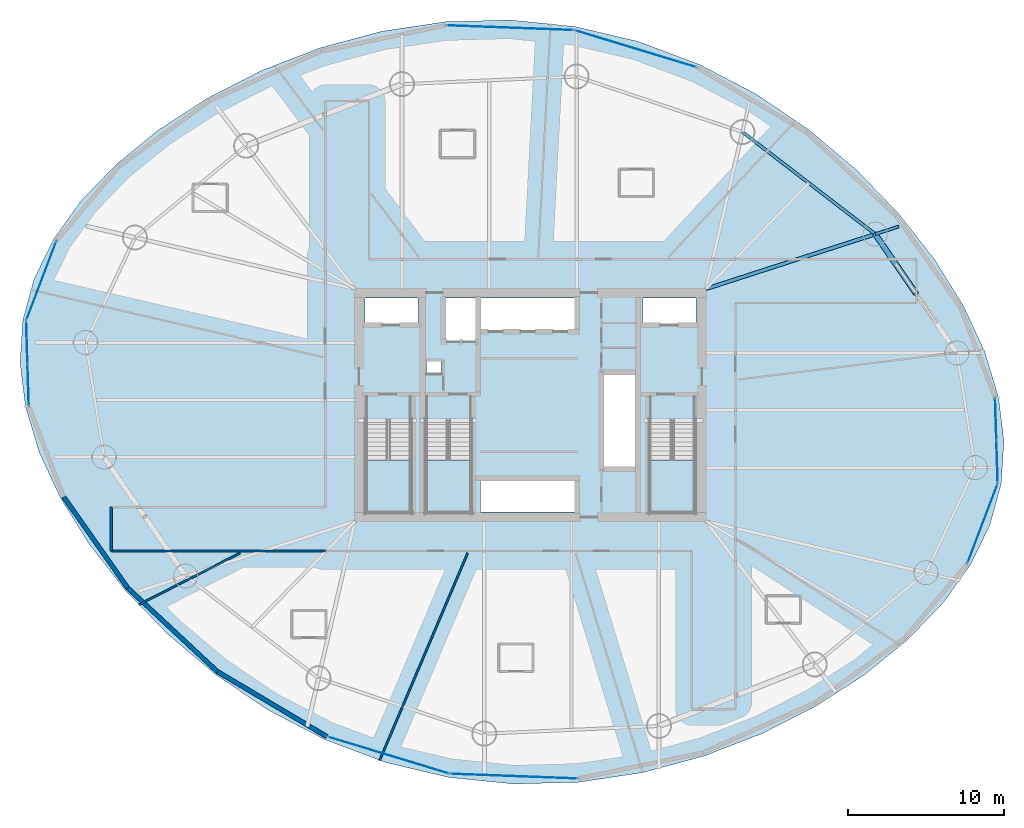
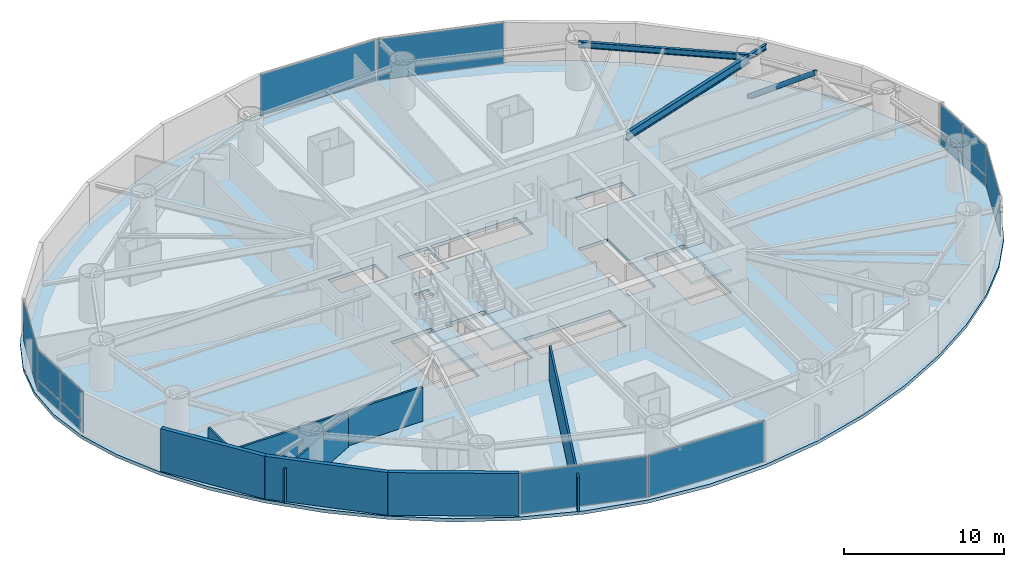
# One storey, part 20 of 27: 14 plates, 7 walls, 4 slabs, 3 beams, 1 member, 11 elements without a shape of their own.
"""IFC4 building model written with IfcOpenShell, lengths in metres."""

from ifc_helpers import new_model, si_unit, direction, frame, frame_2d, origin, origin_2d, place, context, subcontext, project, spatial, polyline, rectangle, hollow_circle, i_section, outline, extrude, material, layer, layer_set, material_profile, profile_set, type_object, element, aggregate, save


model = new_model("IFC4")

# Units and contexts
model_context = context("Model", 3, precision=1e-05, world=origin(), true_north=direction((0.0, 1.0)))
body_context = subcontext(model_context, "Body", "Model", "MODEL_VIEW")
ifc_project = project(units=[si_unit("LENGTHUNIT", "METRE"), si_unit("AREAUNIT", "SQUARE_METRE"), si_unit("VOLUMEUNIT", "CUBIC_METRE"), si_unit("PLANEANGLEUNIT", "RADIAN"), si_unit("MASSUNIT", "GRAM", prefix="KILO")], contexts=[model_context])

# Site, building, storey
site_placement = place(None, origin())
site = spatial("IfcSite", under=ifc_project, at=site_placement, CompositionType="ELEMENT")
building_placement = place(site_placement, origin())
building = spatial("IfcBuilding", under=site, at=building_placement, Name="Bramvorn Convention Spire", CompositionType="ELEMENT")
storey_placement = place(building_placement, frame((0.0, 0.0, 72.89990234375)))
storey = spatial("IfcBuildingStorey", under=building, at=storey_placement, Name="L16", CompositionType="ELEMENT", Elevation=72.89990234375)

# Beams
ifc_material_1 = material(Name="Steel CSA G40.21 Grade 350 (350W)", Category="steel")
ifc_material_profile_1 = material_profile(ifc_material_1, i_section(OverallWidth=0.180908203125, OverallDepth=0.4169921875, WebThickness=0.010986328125, FlangeThickness=0.018310546875, FilletRadius=0.01611328125, at=origin_2d()))
ifc_profile_set_1 = profile_set([ifc_material_profile_1], Name="Steel CSA G40.21 Grade 350 (350W) - W410X85")
beam_type_1 = type_object("IfcBeamType", Name="BM-W410X85", PredefinedType="JOIST", material=ifc_profile_set_1)
beam_1_placement = place(storey_placement, frame((60.105224609375, 36.960205078125, 3.026611328125), z_axis=(0.951498994051, 0.307651855706, 0.0), x_axis=(-0.307651855706, 0.951498994051, 0.0)))
element("IfcBeam", 1, at=beam_1_placement, inside=storey, type_object=beam_type_1, Name="L16 Sky-Garden cantilever tip girder MC03", PredefinedType="JOIST", context=body_context, shape_type="SweptSolid", body=[
    extrude(i_section(OverallWidth=0.180908203125, OverallDepth=0.4169921875, WebThickness=0.010986328125, FlangeThickness=0.018310546875, FilletRadius=0.01611328125, at=origin_2d()), origin(), (0.0, 0.0, 1.0), 1.582275390625),
])
ifc_material_profile_2 = material_profile(ifc_material_1, i_section(OverallWidth=0.194091796875, OverallDepth=0.468994140625, WebThickness=0.0126953125, FlangeThickness=0.0205078125, FilletRadius=0.01806640625, at=origin_2d()))
ifc_profile_set_2 = profile_set([ifc_material_profile_2], Name="Steel CSA G40.21 Grade 350 (350W) - W460X106")
beam_type_2 = type_object("IfcBeamType", Name="BM-W460X106", PredefinedType="SPANDREL", material=ifc_profile_set_2)
beam_2_placement = place(storey_placement, frame((60.105224609375, 36.960205078125, 3.015625), z_axis=(-0.792672990445, 0.609647053809, 0.0), x_axis=(-0.609647053809, -0.792672990445, 0.0)))
element("IfcBeam", 2, at=beam_2_placement, inside=storey, type_object=beam_type_2, Name="L16 mega-column ring beam 03", PredefinedType="SPANDREL", context=body_context, shape_type="SweptSolid", body=[
    extrude(i_section(OverallWidth=0.194091796875, OverallDepth=0.468994140625, WebThickness=0.0126953125, FlangeThickness=0.0205078125, FilletRadius=0.01806640625, at=origin_2d()), origin(), (0.0, 0.0, 1.0), 10.741943359375),
])
ifc_material_profile_3 = material_profile(ifc_material_1, i_section(OverallWidth=0.22998046875, OverallDepth=0.616943359375, WebThickness=0.01318359375, FlangeThickness=0.022216796875, FilletRadius=0.02001953125, at=origin_2d()))
ifc_profile_set_3 = profile_set([ifc_material_profile_3], Name="Steel CSA G40.21 Grade 350 (350W) - W610X140")
beam_type_3 = type_object("IfcBeamType", Name="BM-W610X140", PredefinedType="BEAM", material=ifc_profile_set_3)
beam_3_placement = place(storey_placement, frame((49.25, 33.449951171875, 2.926513671875), z_axis=(0.951488933275, 0.307682969719, 0.0), x_axis=(-0.307682969719, 0.951488933275, 0.0)))
element("IfcBeam", 3, at=beam_3_placement, inside=storey, type_object=beam_type_3, Name="L16 Sky-Garden back-span radial girder MC03", PredefinedType="BEAM", context=body_context, shape_type="SweptSolid", body=[
    extrude(i_section(OverallWidth=0.22998046875, OverallDepth=0.616943359375, WebThickness=0.01318359375, FlangeThickness=0.022216796875, FilletRadius=0.02001953125, at=origin_2d()), origin(), (0.0, 0.0, 1.0), 11.40869140625),
])

# Member
ifc_material_profile_4 = material_profile(ifc_material_1, hollow_circle(Radius=0.177734375, WallThickness=0.015869140625, at=origin_2d()))
ifc_profile_set_4 = profile_set([ifc_material_profile_4], Name="Steel CSA G40.21 Grade 350 (350W) - CHS356X16")
member_type = type_object("IfcMemberType", Name="MBR-CHS356X16", PredefinedType="BRACE", material=ifc_profile_set_4)
member_placement = place(storey_placement, frame((60.105224609375, 36.960205078125, 0.0), z_axis=(0.463106048325, -0.674307985647, 0.575188254833), x_axis=(0.824316157743, 0.566129730789, 0.0)))
element("IfcMember", 4, at=member_placement, inside=storey, type_object=member_type, Name="L16 perimeter Gothic lancet brace 2B", PredefinedType="BRACE", context=body_context, shape_type="SweptSolid", body=[
    extrude(hollow_circle(Radius=0.177734375, WallThickness=0.015869140625, at=origin_2d()), origin(), (0.0, 0.0, 1.0), 5.650390625),
])

# Curtain wall, plates
ifc_material_2 = material(Name="Anodised Bronze Unitised Curtain Wall", Category="aluminium")
ifc_layer_1 = layer(ifc_material_2, 0.179931640625)
ifc_layer_set_1 = layer_set([ifc_layer_1], Name="Anodised Bronze Unitised Curtain Wall - CW-HTL-FRIT")
curtain_wall_type = type_object("IfcCurtainWallType", Name="CW-HTL-FRIT", PredefinedType="USERDEFINED", material=ifc_layer_set_1)
curtain_wall_1_placement = place(storey_placement, origin())
curtain_wall_1 = element("IfcCurtainWall", 5, at=curtain_wall_1_placement, inside=storey, type_object=curtain_wall_type, Name="L16 fritted glass curtain wall 01", ObjectType="UNITISED CURTAIN WALL", PredefinedType="USERDEFINED")
ifc_material_3 = material(Name="Laminated Low-E Glass (Triple IGU Bronze Ceramic Frit 35%)", Category="glass")
ifc_layer_2 = layer(ifc_material_3, 0.035888671875)
ifc_layer_set_2 = layer_set([ifc_layer_2], Name="Laminated Low-E Glass (Triple IGU Bronze Ceramic Frit 35%) - PNL-IGU-1")
plate_type = type_object("IfcPlateType", Name="PNL-IGU-1", PredefinedType="CURTAIN_PANEL", material=ifc_layer_set_2)
plate_1_placement = place(storey_placement, frame((67.835205078125, 25.092041015625, 0.06005859375), z_axis=(0.0, 0.0, 1.0), x_axis=(0.031214875928, -0.999512697028, 0.0)))
plate_1 = element("IfcPlate", 6, at=plate_1_placement, type_object=plate_type, Name="CW2 panel 1.1", PredefinedType="CURTAIN_PANEL", context=body_context, shape_type="SweptSolid", body=[
    extrude(rectangle(XDim=2.65869140625, YDim=0.028076171875, at=origin_2d()), origin(), (0.0, 0.0, 1.0), 0.81005859375),
])
plate_2_placement = place(storey_placement, frame((67.835205078125, 25.092041015625, 0.93017578125), z_axis=(0.0, 0.0, 1.0), x_axis=(0.031214875928, -0.999512697028, 0.0)))
plate_2 = element("IfcPlate", 7, at=plate_2_placement, type_object=plate_type, Name="CW2 panel 1.2", PredefinedType="CURTAIN_PANEL", context=body_context, shape_type="SweptSolid", body=[
    extrude(rectangle(XDim=2.65869140625, YDim=0.028076171875, at=origin_2d()), origin(), (0.0, 0.0, 1.0), 2.260009765625),
])
plate_3_placement = place(storey_placement, frame((67.919921875, 22.37451171875, 0.06005859375), z_axis=(0.0, 0.0, 1.0), x_axis=(0.031214875928, -0.999512697028, 0.0)))
plate_3 = element("IfcPlate", 8, at=plate_3_placement, type_object=plate_type, Name="CW2 panel 2.1", PredefinedType="CURTAIN_PANEL", context=body_context, shape_type="SweptSolid", body=[
    extrude(rectangle(XDim=2.65869140625, YDim=0.028076171875, at=origin_2d()), origin(), (0.0, 0.0, 1.0), 0.81005859375),
])
plate_4_placement = place(storey_placement, frame((67.919921875, 22.37451171875, 0.93017578125), z_axis=(0.0, 0.0, 1.0), x_axis=(0.031214875928, -0.999512697028, 0.0)))
plate_4 = element("IfcPlate", 9, at=plate_4_placement, type_object=plate_type, Name="CW2 panel 2.2", PredefinedType="CURTAIN_PANEL", context=body_context, shape_type="SweptSolid", body=[
    extrude(rectangle(XDim=2.65869140625, YDim=0.028076171875, at=origin_2d()), origin(), (0.0, 0.0, 1.0), 2.260009765625),
])
aggregate(curtain_wall_1, [plate_1, plate_2, plate_3, plate_4])

# Curtain wall, plate
curtain_wall_2_placement = place(storey_placement, origin())
curtain_wall_2 = element("IfcCurtainWall", 10, at=curtain_wall_2_placement, inside=storey, type_object=curtain_wall_type, Name="L16 fritted glass curtain wall 06", ObjectType="UNITISED CURTAIN WALL", PredefinedType="USERDEFINED")
plate_5_placement = place(storey_placement, frame((44.749267578125, 48.842041015625, 0.06005859375), z_axis=(0.0, 0.0, 1.0), x_axis=(0.95703083339, -0.289986178877, 0.0)))
plate_5 = element("IfcPlate", 11, at=plate_5_placement, type_object=plate_type, Name="CW2 panel 1.1", PredefinedType="CURTAIN_PANEL", context=body_context, shape_type="SweptSolid", body=[
    extrude(rectangle(XDim=8.121337890625, YDim=0.028076171875, at=origin_2d()), origin(), (0.0, 0.0, 1.0), 3.1298828125),
])
aggregate(curtain_wall_2, [plate_5])

curtain_wall_3_placement = place(storey_placement, origin())
curtain_wall_3 = element("IfcCurtainWall", 12, at=curtain_wall_3_placement, inside=storey, type_object=curtain_wall_type, Name="L16 fritted glass curtain wall 07", ObjectType="UNITISED CURTAIN WALL", PredefinedType="USERDEFINED")
plate_6_placement = place(storey_placement, frame((36.68798828125, 50.191162109375, 0.06005859375), z_axis=(0.0, 0.0, 1.0), x_axis=(0.999300498077, -0.037396718342, 0.0)))
plate_6 = element("IfcPlate", 13, at=plate_6_placement, type_object=plate_type, Name="CW2 panel 1.1", PredefinedType="CURTAIN_PANEL", context=body_context, shape_type="SweptSolid", body=[
    extrude(rectangle(XDim=8.121337890625, YDim=0.028076171875, at=origin_2d()), origin(), (0.0, 0.0, 1.0), 3.1298828125),
])
aggregate(curtain_wall_3, [plate_6])

curtain_wall_4_placement = place(storey_placement, origin())
curtain_wall_4 = element("IfcCurtainWall", 14, at=curtain_wall_4_placement, inside=storey, type_object=curtain_wall_type, Name="L16 fritted glass curtain wall 12", ObjectType="UNITISED CURTAIN WALL", PredefinedType="USERDEFINED")
plate_7_placement = place(storey_placement, frame((6.64501953125, 33.97998046875, 0.06005859375), z_axis=(0.0, 0.0, 1.0), x_axis=(0.354898244342, 0.934904934292, 0.0)))
plate_7 = element("IfcPlate", 15, at=plate_7_placement, type_object=plate_type, Name="CW2 panel 1.1", PredefinedType="CURTAIN_PANEL", context=body_context, shape_type="SweptSolid", body=[
    extrude(rectangle(XDim=5.37744140625, YDim=0.028076171875, at=origin_2d()), origin(), (0.0, 0.0, 1.0), 3.1298828125),
])
aggregate(curtain_wall_4, [plate_7])

# Curtain wall, plates
curtain_wall_5_placement = place(storey_placement, origin())
curtain_wall_5 = element("IfcCurtainWall", 16, at=curtain_wall_5_placement, inside=storey, type_object=curtain_wall_type, Name="L16 fritted glass curtain wall 13", ObjectType="UNITISED CURTAIN WALL", PredefinedType="USERDEFINED")
plate_8_placement = place(storey_placement, frame((5.7978515625, 27.30419921875, 0.06005859375), z_axis=(0.0, 0.0, 1.0), x_axis=(-0.031196135965, 0.999513282103, 0.0)))
plate_8 = element("IfcPlate", 17, at=plate_8_placement, type_object=plate_type, Name="CW2 panel 1.1", PredefinedType="CURTAIN_PANEL", context=body_context, shape_type="SweptSolid", body=[
    extrude(rectangle(XDim=2.65869140625, YDim=0.028076171875, at=origin_2d()), origin(), (0.0, 0.0, 1.0), 0.81005859375),
])
plate_9_placement = place(storey_placement, frame((5.7978515625, 27.30419921875, 0.93017578125), z_axis=(0.0, 0.0, 1.0), x_axis=(-0.031196135965, 0.999513282103, 0.0)))
plate_9 = element("IfcPlate", 18, at=plate_9_placement, type_object=plate_type, Name="CW2 panel 1.2", PredefinedType="CURTAIN_PANEL", context=body_context, shape_type="SweptSolid", body=[
    extrude(rectangle(XDim=2.65869140625, YDim=0.028076171875, at=origin_2d()), origin(), (0.0, 0.0, 1.0), 2.260009765625),
])
plate_10_placement = place(storey_placement, frame((5.712890625, 30.021728515625, 0.06005859375), z_axis=(0.0, 0.0, 1.0), x_axis=(-0.031196135965, 0.999513282103, 0.0)))
plate_10 = element("IfcPlate", 19, at=plate_10_placement, type_object=plate_type, Name="CW2 panel 2.1", PredefinedType="CURTAIN_PANEL", context=body_context, shape_type="SweptSolid", body=[
    extrude(rectangle(XDim=2.65869140625, YDim=0.028076171875, at=origin_2d()), origin(), (0.0, 0.0, 1.0), 0.81005859375),
])
plate_11_placement = place(storey_placement, frame((5.712890625, 30.021728515625, 0.93017578125), z_axis=(0.0, 0.0, 1.0), x_axis=(-0.031196135965, 0.999513282103, 0.0)))
plate_11 = element("IfcPlate", 20, at=plate_11_placement, type_object=plate_type, Name="CW2 panel 2.2", PredefinedType="CURTAIN_PANEL", context=body_context, shape_type="SweptSolid", body=[
    extrude(rectangle(XDim=2.65869140625, YDim=0.028076171875, at=origin_2d()), origin(), (0.0, 0.0, 1.0), 2.260009765625),
])
aggregate(curtain_wall_5, [plate_8, plate_9, plate_10, plate_11])

# Curtain wall, plate
curtain_wall_6_placement = place(storey_placement, origin())
curtain_wall_6 = element("IfcCurtainWall", 21, at=curtain_wall_6_placement, inside=storey, type_object=curtain_wall_type, Name="L16 fritted glass curtain wall 18", ObjectType="UNITISED CURTAIN WALL", PredefinedType="USERDEFINED")
plate_12_placement = place(storey_placement, frame((28.883544921875, 3.553955078125, 0.06005859375), z_axis=(0.0, 0.0, 1.0), x_axis=(-0.957029813014, 0.289989546369, 0.0)))
plate_12 = element("IfcPlate", 22, at=plate_12_placement, type_object=plate_type, Name="CW2 panel 1.1", PredefinedType="CURTAIN_PANEL", context=body_context, shape_type="SweptSolid", body=[
    extrude(rectangle(XDim=8.121337890625, YDim=0.028076171875, at=origin_2d()), origin(), (0.0, 0.0, 1.0), 3.1298828125),
])
aggregate(curtain_wall_6, [plate_12])

curtain_wall_7_placement = place(storey_placement, origin())
curtain_wall_7 = element("IfcCurtainWall", 23, at=curtain_wall_7_placement, inside=storey, type_object=curtain_wall_type, Name="L16 fritted glass curtain wall 19", ObjectType="UNITISED CURTAIN WALL", PredefinedType="USERDEFINED")
plate_13_placement = place(storey_placement, frame((36.945068359375, 2.205078125, 0.06005859375), z_axis=(0.0, 0.0, 1.0), x_axis=(-0.999300498077, 0.037396718342, 0.0)))
plate_13 = element("IfcPlate", 24, at=plate_13_placement, type_object=plate_type, Name="CW2 panel 1.1", PredefinedType="CURTAIN_PANEL", context=body_context, shape_type="SweptSolid", body=[
    extrude(rectangle(XDim=8.121337890625, YDim=0.028076171875, at=origin_2d()), origin(), (0.0, 0.0, 1.0), 3.1298828125),
])
aggregate(curtain_wall_7, [plate_13])

curtain_wall_8_placement = place(storey_placement, origin())
curtain_wall_8 = element("IfcCurtainWall", 25, at=curtain_wall_8_placement, inside=storey, type_object=curtain_wall_type, Name="L16 fritted glass curtain wall 24", ObjectType="UNITISED CURTAIN WALL", PredefinedType="USERDEFINED")
plate_14_placement = place(storey_placement, frame((66.98779296875, 18.416015625, 0.06005859375), z_axis=(0.0, 0.0, 1.0), x_axis=(-0.354908107953, -0.934901189917, 0.0)))
plate_14 = element("IfcPlate", 26, at=plate_14_placement, type_object=plate_type, Name="CW2 panel 1.1", PredefinedType="CURTAIN_PANEL", context=body_context, shape_type="SweptSolid", body=[
    extrude(rectangle(XDim=5.37744140625, YDim=0.028076171875, at=origin_2d()), origin(), (0.0, 0.0, 1.0), 3.1298828125),
])
aggregate(curtain_wall_8, [plate_14])

# Stair, slab
ifc_material_4 = material(Name="Concrete C40/50 Precast Stair", Category="concrete")
stair_type = type_object("IfcStairType", Name="ST-TOWER-1550", PredefinedType="HALF_TURN_STAIR", material=ifc_material_4)
stair_1_placement = place(storey_placement, origin())
stair_1 = element("IfcStair", 27, at=stair_1_placement, inside=storey, type_object=stair_type, Name="L16 Protected Exit Stair ST1", PredefinedType="HALF_TURN_STAIR")
ifc_material_5 = material(Name="Concrete C40/50 Stair Landing", Category="concrete")
ifc_layer_3 = layer(ifc_material_5, 0.219970703125)
ifc_layer_set_3 = layer_set([ifc_layer_3], Name="Concrete C40/50 Stair Landing - SLB-STAIR-LANDING")
slab_type_1 = type_object("IfcSlabType", Name="SLB-STAIR-LANDING", PredefinedType="LANDING", material=ifc_layer_set_3)
slab_1_placement = place(storey_placement, frame((0.0, 0.0, 1.550048828125)))
slab_1 = element("IfcSlab", 28, at=slab_1_placement, type_object=slab_type_1, Name="ST1 landing 1", PredefinedType="LANDING", context=body_context, shape_type="SweptSolid", body=[
    extrude(outline(polyline([(27.449951171875, 22.485107421875), (27.449951171875, 19.10009765625), (30.35009765625, 19.10009765625), (30.35009765625, 22.485107421875), (27.449951171875, 22.485107421875)])), origin(), (0.0, 0.0, 1.0), 0.199951171875),
])
aggregate(stair_1, [slab_1])

stair_2_placement = place(storey_placement, origin())
stair_2 = element("IfcStair", 29, at=stair_2_placement, inside=storey, type_object=stair_type, Name="L16 Protected Exit Stair ST2", PredefinedType="HALF_TURN_STAIR")
slab_2_placement = place(storey_placement, frame((0.0, 0.0, 1.550048828125)))
slab_2 = element("IfcSlab", 30, at=slab_2_placement, type_object=slab_type_1, Name="ST2 landing 1", PredefinedType="LANDING", context=body_context, shape_type="SweptSolid", body=[
    extrude(outline(polyline([(45.64990234375, 22.485107421875), (45.64990234375, 19.10009765625), (48.550048828125, 19.10009765625), (48.550048828125, 22.485107421875), (45.64990234375, 22.485107421875)])), origin(), (0.0, 0.0, 1.0), 0.199951171875),
])
aggregate(stair_2, [slab_2])

stair_3_placement = place(storey_placement, origin())
stair_3 = element("IfcStair", 31, at=stair_3_placement, inside=storey, type_object=stair_type, Name="L16 Protected Exit Stair ST3", PredefinedType="HALF_TURN_STAIR")
slab_3_placement = place(storey_placement, frame((0.0, 0.0, 1.550048828125)))
slab_3 = element("IfcSlab", 32, at=slab_3_placement, type_object=slab_type_1, Name="ST3 landing 1", PredefinedType="LANDING", context=body_context, shape_type="SweptSolid", body=[
    extrude(outline(polyline([(31.300048828125, 22.485107421875), (31.300048828125, 19.10009765625), (34.199951171875, 19.10009765625), (34.199951171875, 22.485107421875), (31.300048828125, 22.485107421875)])), origin(), (0.0, 0.0, 1.0), 0.199951171875),
])
aggregate(stair_3, [slab_3])

# Slab
ifc_material_6 = material(Name="Concrete C50/60", Category="concrete")
ifc_layer_4 = layer(ifc_material_6, 0.25)
ifc_layer_set_4 = layer_set([ifc_layer_4], Name="Concrete C50/60 - SLB-Z1-250")
slab_type_2 = type_object("IfcSlabType", Name="SLB-Z1-250", PredefinedType="FLOOR", material=ifc_layer_set_4)
slab_4_placement = place(storey_placement, frame((0.0, 0.0, -0.25)))
element("IfcSlab", 33, at=slab_4_placement, inside=storey, type_object=slab_type_2, Name="L16 tower floor slab", PredefinedType="FLOOR", context=body_context, shape_type="SweptSolid", body=[
    extrude(outline(polyline([(68.180419921875, 20.949462890625), (68.361328125, 23.67919921875), (68.01025390625, 26.497802734375), (67.1396484375, 29.396484375), (65.768798828125, 32.351806640625), (63.9228515625, 35.322509765625), (61.631591796875, 38.248291015625), (58.93017578125, 41.052978515625), (55.85791015625, 43.649658203125), (52.4599609375, 45.94775390625), (48.78662109375, 47.86181640625), (44.894287109375, 49.320068359375), (40.844970703125, 50.271240234375), (36.70654296875, 50.690185546875), (32.551513671875, 50.57861328125), (28.455078125, 49.96484375), (24.494140625, 48.898193359375), (20.743896484375, 47.443115234375), (17.2763671875, 45.6708984375), (14.157470703125, 43.650390625), (11.445068359375, 41.442626953125), (9.186767578125, 39.094482421875), (7.419921875, 36.63720703125), (6.170166015625, 34.086181640625), (5.45263671875, 31.446533203125), (5.271484375, 28.717041015625), (5.622802734375, 25.898193359375), (6.493408203125, 22.99951171875), (7.864013671875, 20.044189453125), (9.710205078125, 17.073486328125), (12.001220703125, 14.14794921875), (14.702880859375, 11.343017578125), (17.77490234375, 8.746337890625), (21.1728515625, 6.4482421875), (24.84619140625, 4.5341796875), (28.73876953125, 3.076171875), (32.7880859375, 2.124755859375), (36.92626953125, 1.705810546875), (41.081298828125, 1.8173828125), (45.177734375, 2.431396484375), (49.138916015625, 3.497802734375), (52.888916015625, 4.952880859375), (56.3564453125, 6.725341796875), (59.475341796875, 8.745849609375), (62.18798828125, 10.95361328125), (64.4462890625, 13.301513671875), (66.213134765625, 15.759033203125), (67.462890625, 18.309814453125), (68.180419921875, 20.949462890625)]), holes=[polyline([(27.449951171875, 25.050048828125), (27.449951171875, 19.10009765625), (30.35009765625, 19.10009765625), (30.35009765625, 25.050048828125), (27.449951171875, 25.050048828125)]), polyline([(45.64990234375, 25.050048828125), (45.64990234375, 19.10009765625), (48.550048828125, 19.10009765625), (48.550048828125, 25.050048828125), (45.64990234375, 25.050048828125)]), polyline([(31.300048828125, 25.050048828125), (31.300048828125, 19.10009765625), (34.199951171875, 19.10009765625), (34.199951171875, 25.050048828125), (31.300048828125, 25.050048828125)]), polyline([(27.39990234375, 31.219970703125), (30.800048828125, 31.219970703125), (30.800048828125, 32.85009765625), (27.39990234375, 32.85009765625), (27.39990234375, 31.219970703125)]), polyline([(45.199951171875, 31.219970703125), (48.60009765625, 31.219970703125), (48.60009765625, 32.85009765625), (45.199951171875, 32.85009765625), (45.199951171875, 31.219970703125)]), polyline([(32.449951171875, 30.14990234375), (34.56005859375, 30.14990234375), (34.56005859375, 32.85009765625), (32.449951171875, 32.85009765625), (32.449951171875, 30.14990234375)]), polyline([(34.800048828125, 30.800048828125), (40.97998046875, 30.800048828125), (40.97998046875, 32.85009765625), (34.800048828125, 32.85009765625), (34.800048828125, 30.800048828125)]), polyline([(34.800048828125, 19.14990234375), (40.97998046875, 19.14990234375), (40.97998046875, 21.199951171875), (34.800048828125, 21.199951171875), (34.800048828125, 19.14990234375)]), polyline([(42.6201171875, 22.0), (44.75, 22.0), (44.75, 28.0), (42.6201171875, 28.0), (42.6201171875, 22.0)]), polyline([(31.320068359375, 28.02001953125), (32.280029296875, 28.02001953125), (32.280029296875, 28.820068359375), (31.320068359375, 28.820068359375), (31.320068359375, 28.02001953125)])]), origin(), (0.0, 0.0, 1.0), 0.25),
])

# Walls
ifc_material_7 = material(Name="Precast Concrete C40/50 with Bronze Terracotta Rainscreen", Category="masonry")
ifc_layer_5 = layer(ifc_material_7, 0.300048828125)
ifc_layer_set_5 = layer_set([ifc_layer_5], Name="Precast Concrete C40/50 with Bronze Terracotta Rainscreen - WL-EXT-BRONZE-300")
wall_type_1 = type_object("IfcWallType", Name="WL-EXT-BRONZE-300", PredefinedType="SOLIDWALL", material=ifc_layer_set_5)
wall_1_placement = place(storey_placement, frame((12.180419921875, 14.275634765625, 0.0), z_axis=(0.0, 0.0, 1.0), x_axis=(-0.575543356888, 0.817771266518, 0.0)))
element("IfcWall", 34, at=wall_1_placement, inside=storey, type_object=wall_type_1, Name="L16 expressed bronze Gothic lancet pier wall 15", PredefinedType="SOLIDWALL", context=body_context, shape_type="SweptSolid", body=[
    extrude(rectangle(XDim=7.14306640625, YDim=0.280029296875, at=frame_2d((3.571533203125, 0.0))), origin(), (0.0, 0.0, 1.0), 3.25),
])
wall_2_placement = place(storey_placement, frame((17.916259765625, 8.923583984375, 0.0), z_axis=(0.0, 0.0, 1.0), x_axis=(-0.731144262125, 0.682222887304, 0.0)))
element("IfcWall", 35, at=wall_2_placement, inside=storey, type_object=wall_type_1, Name="L16 expressed bronze Gothic lancet pier wall 16", PredefinedType="SOLIDWALL", context=body_context, shape_type="SweptSolid", body=[
    extrude(rectangle(XDim=7.844970703125, YDim=0.280029296875, at=frame_2d((3.92236328125, 0.0))), origin(), (0.0, 0.0, 1.0), 3.25),
])
wall_3_placement = place(storey_placement, frame((24.93994140625, 4.7490234375, 0.0), z_axis=(0.0, 0.0, 1.0), x_axis=(-0.859626337848, 0.510923242061, 0.0)))
element("IfcWall", 36, at=wall_3_placement, inside=storey, type_object=wall_type_1, Name="L16 expressed bronze Gothic lancet pier wall 17", PredefinedType="SOLIDWALL", context=body_context, shape_type="SweptSolid", body=[
    extrude(rectangle(XDim=8.170654296875, YDim=0.280029296875, at=frame_2d((4.08544921875, 0.0))), origin(), (0.0, 0.0, 1.0), 3.25),
])
ifc_material_8 = material(Name="Metal-Stud Demountable Office Partition", Category="gypsum")
ifc_layer_6 = layer(ifc_material_8, 0.1298828125)
ifc_layer_set_6 = layer_set([ifc_layer_6], Name="Metal-Stud Demountable Office Partition - WL-PART-130")
wall_type_2 = type_object("IfcWallType", Name="WL-PART-130", PredefinedType="PARTITIONING", material=ifc_layer_set_6)
wall_4_placement = place(storey_placement, frame((19.374755859375, 16.510009765625, 0.0), z_axis=(0.0, 0.0, 1.0), x_axis=(-0.891001184566, -0.454000979185, 0.0)))
element("IfcWall", 37, at=wall_4_placement, inside=storey, type_object=wall_type_2, Name="L16 Guestroom demising wall 6", PredefinedType="PARTITIONING", context=body_context, shape_type="SweptSolid", body=[
    extrude(rectangle(XDim=7.295166015625, YDim=0.1298828125, at=frame_2d((3.6474609375, 0.0))), origin(), (0.0, 0.0, 1.0), 2.60009765625),
])
wall_5_placement = place(storey_placement, frame((33.9716796875, 16.510009765625, 0.0), z_axis=(0.0, 0.0, 1.0), x_axis=(-0.390718056451, -0.920510402094, 0.0)))
element("IfcWall", 38, at=wall_5_placement, inside=storey, type_object=wall_type_2, Name="L16 Guestroom demising wall 7", PredefinedType="PARTITIONING", context=body_context, shape_type="SweptSolid", body=[
    extrude(rectangle(XDim=14.461669921875, YDim=0.1298828125, at=frame_2d((7.23095703125, 0.0))), origin(), (0.0, 0.0, 1.0), 2.60009765625),
])
ifc_material_9 = material(Name="Acoustic Metal-Stud Tenant/Corridor Partition", Category="gypsum")
ifc_layer_7 = layer(ifc_material_9, 0.14990234375)
ifc_layer_set_7 = layer_set([ifc_layer_7], Name="Acoustic Metal-Stud Tenant/Corridor Partition - WL-PART-150")
wall_type_3 = type_object("IfcWallType", Name="WL-PART-150", PredefinedType="PARTITIONING", material=ifc_layer_set_7)
wall_6_placement = place(storey_placement, frame((11.123779296875, 16.64990234375, 0.0), z_axis=(0.0, 0.0, 1.0), x_axis=(1.0, 0.0, 0.0)))
element("IfcWall", 39, at=wall_6_placement, inside=storey, type_object=wall_type_3, Name="L16 SW pinwheel wing south wall", PredefinedType="PARTITIONING", context=body_context, shape_type="SweptSolid", body=[
    extrude(rectangle(XDim=13.726318359375, YDim=0.14990234375, at=frame_2d((6.86328125, 0.0))), origin(), (0.0, 0.0, 1.0), 2.60009765625),
])
wall_7_placement = place(storey_placement, frame((11.123779296875, 16.64990234375, 0.0), z_axis=(0.0, 0.0, 1.0), x_axis=(0.0, 1.0, 0.0)))
element("IfcWall", 40, at=wall_7_placement, inside=storey, type_object=wall_type_3, Name="L16 SW pinwheel end wall", PredefinedType="PARTITIONING", context=body_context, shape_type="SweptSolid", body=[
    extrude(rectangle(XDim=2.800048828125, YDim=0.14990234375, at=frame_2d((1.39990234375, 0.0))), origin(), (0.0, 0.0, 1.0), 2.60009765625),
])

save(model, "model.ifc")
